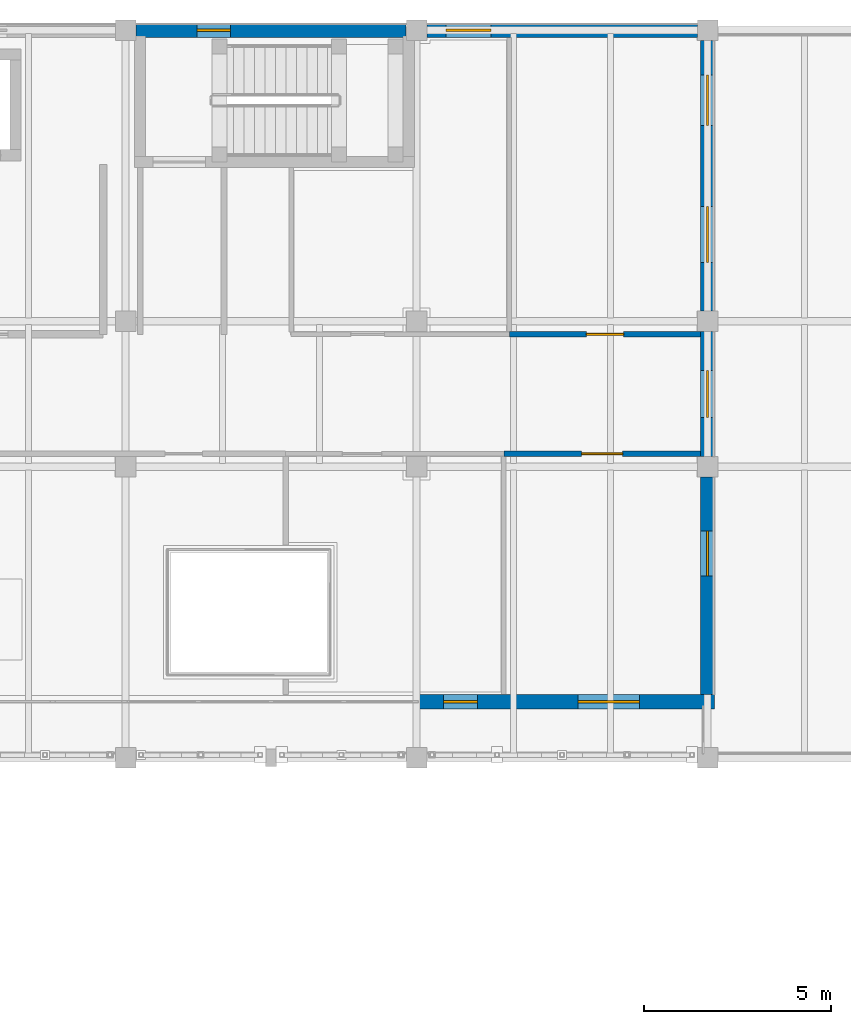
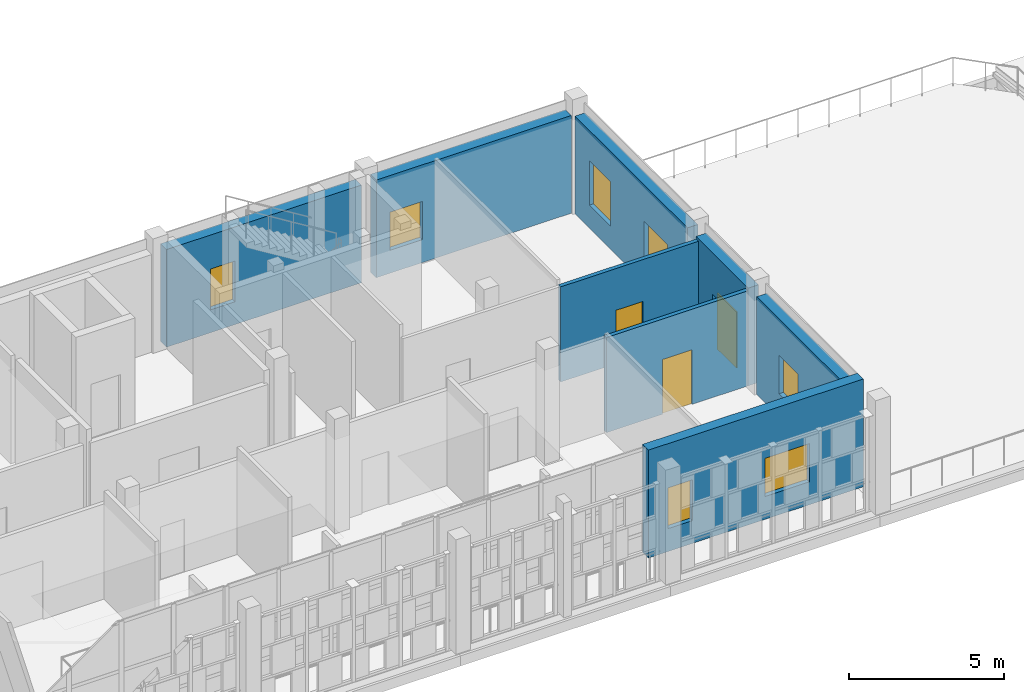
# One storey, part 100 of 119: 8 walls, 7 windows, 3 doors, 10 openings.
"""IFC4 building model written with IfcOpenShell, lengths in metres."""

from ifc_helpers import new_model, si_unit, direction, frame, frame_2d, origin, place, context, subcontext, project, spatial, rectangle, extrude, material, layer, layer_set, type_object, element, fill, save


model = new_model("IFC4")

# Units and contexts
model_context = context("Model", 3, precision=1e-05, world=origin(), true_north=direction((0.0, 1.0)))
body_context = subcontext(model_context, "Body", "Model", "MODEL_VIEW")
ifc_project = project(units=[si_unit("LENGTHUNIT", "METRE"), si_unit("AREAUNIT", "SQUARE_METRE"), si_unit("VOLUMEUNIT", "CUBIC_METRE"), si_unit("PLANEANGLEUNIT", "RADIAN"), si_unit("MASSUNIT", "GRAM", prefix="KILO")], contexts=[model_context])

# Site, building, storey
site_placement = place(None, origin())
site = spatial("IfcSite", under=ifc_project, at=site_placement, CompositionType="ELEMENT")
building_placement = place(site_placement, origin())
building = spatial("IfcBuilding", under=site, at=building_placement, Name="Celorna Specialist Clinic", CompositionType="ELEMENT")
storey_placement = place(building_placement, frame((0.0, 0.0, 9.60009765625)))
storey = spatial("IfcBuildingStorey", under=building, at=storey_placement, Name="L02", CompositionType="ELEMENT", Elevation=9.60009765625)

# Wall, openings, windows
ifc_material_1 = material(Name="Terracotta masonry with insulated cavity", Category="masonry")
ifc_layer_1 = layer(ifc_material_1, 0.3798828125, Name="Terracotta masonry with insulated cavity")
ifc_layer_set_1 = layer_set([ifc_layer_1], Name="Terracotta masonry with insulated cavity")
wall_type_1 = type_object("IfcWallType", Name="WT-06", PredefinedType="STANDARD", material=ifc_layer_set_1)
wall_1_placement = place(storey_placement, frame((132.7900390625, 98.0, 0.0), z_axis=(0.0, 0.0, 1.0), x_axis=(-1.0, 0.0, 0.0)))
wall_1 = element("IfcWall", 1, at=wall_1_placement, inside=storey, type_object=wall_type_1, Name="External facade wall WT-06 #232", PredefinedType="STANDARD", context=body_context, shape_type="SweptSolid", body=[
    extrude(rectangle(XDim=7.989990234375, YDim=0.3798828125, at=frame_2d((3.9951171875, 0.0))), origin(), (0.0, 0.0, 1.0), 4.239990234375),
])
opening_1_placement = place(wall_1_placement, frame((2.010009765625, 0.0, 0.89990234375)))
opening_1 = element("IfcOpeningElement", 2, at=opening_1_placement, cuts=wall_1, Name="Opening WN-24", PredefinedType="OPENING", context=body_context, shape_type="SweptSolid", body=[
    extrude(rectangle(XDim=1.64990234375, YDim=1.5, at=frame_2d((0.824951171875, 0.75))), frame((0.0, 0.199951171875, 0.0), z_axis=(0.0, -1.0, 0.0), x_axis=(1.0, 0.0, 0.0)), (0.0, 0.0, 1.0), 0.39990234375),
])
opening_2_placement = place(wall_1_placement, frame((6.360107421875, 0.0, 0.89990234375)))
opening_2 = element("IfcOpeningElement", 3, at=opening_2_placement, cuts=wall_1, Name="Opening WN-01", PredefinedType="OPENING", context=body_context, shape_type="SweptSolid", body=[
    extrude(rectangle(XDim=0.89990234375, YDim=1.60009765625, at=frame_2d((0.449951171875, 0.800048828125))), frame((0.0, 0.199951171875, 0.0), z_axis=(0.0, -1.0, 0.0), x_axis=(1.0, 0.0, 0.0)), (0.0, 0.0, 1.0), 0.39990234375),
])
ifc_material_2 = material(Name="Thermally broken aluminium triple-glazed window", Category="aluminium")
window_type_1 = type_object("IfcWindowType", Name="WN-01", PartitioningType="SINGLE_PANEL", PredefinedType="WINDOW", material=ifc_material_2)
window_1_placement = place(opening_2_placement, origin())
window_1 = element("IfcWindow", 4, at=window_1_placement, inside=storey, type_object=window_type_1, Name="Facade window WN-01 #113", OverallHeight=1.60009765625, OverallWidth=0.89990234375, PartitioningType="SINGLE_PANEL", PredefinedType="WINDOW", context=body_context, shape_type="SweptSolid", body=[
    extrude(rectangle(XDim=0.89990234375, YDim=1.60009765625, at=frame_2d((0.449951171875, 0.800048828125))), frame((0.0, 0.030029296875, 0.0), z_axis=(0.0, -1.0, 0.0), x_axis=(1.0, 0.0, 0.0)), (0.0, 0.0, 1.0), 0.06005859375),
])
fill(opening_2, window_1)
window_type_2 = type_object("IfcWindowType", Name="WN-24", PartitioningType="SINGLE_PANEL", PredefinedType="WINDOW", material=ifc_material_2)
window_2_placement = place(opening_1_placement, origin())
window_2 = element("IfcWindow", 5, at=window_2_placement, inside=storey, type_object=window_type_2, Name="Facade window WN-24 #112", OverallHeight=1.5, OverallWidth=1.64990234375, PartitioningType="SINGLE_PANEL", PredefinedType="WINDOW", context=body_context, shape_type="SweptSolid", body=[
    extrude(rectangle(XDim=1.64990234375, YDim=1.5, at=frame_2d((0.824951171875, 0.75))), frame((0.0, 0.030029296875, 0.0), z_axis=(0.0, -1.0, 0.0), x_axis=(1.0, 0.0, 0.0)), (0.0, 0.0, 1.0), 0.06005859375),
])
fill(opening_1, window_2)

# Wall, opening, window
wall_2_placement = place(storey_placement, frame((117.27490234375, 116.0, 0.0), z_axis=(0.0, 0.0, 1.0), x_axis=(1.0, 0.0, 0.0)))
wall_2 = element("IfcWall", 6, at=wall_2_placement, inside=storey, type_object=wall_type_1, Name="External facade wall WT-06 #246", PredefinedType="STANDARD", context=body_context, shape_type="SweptSolid", body=[
    extrude(rectangle(XDim=7.25, YDim=0.3798828125, at=frame_2d((3.625, 0.0))), origin(), (0.0, 0.0, 1.0), 3.83984375),
])
opening_3_placement = place(wall_2_placement, frame((1.642578125, 0.0, 0.89990234375)))
opening_3 = element("IfcOpeningElement", 7, at=opening_3_placement, cuts=wall_2, Name="Opening WN-01", PredefinedType="OPENING", context=body_context, shape_type="SweptSolid", body=[
    extrude(rectangle(XDim=0.89990234375, YDim=1.60009765625, at=frame_2d((0.449951171875, 0.800048828125))), frame((0.0, 0.199951171875, 0.0), z_axis=(0.0, -1.0, 0.0), x_axis=(1.0, 0.0, 0.0)), (0.0, 0.0, 1.0), 0.39990234375),
])
window_3_placement = place(opening_3_placement, origin())
window_3 = element("IfcWindow", 8, at=window_3_placement, inside=storey, type_object=window_type_1, Name="Facade window WN-01 #125", OverallHeight=1.60009765625, OverallWidth=0.89990234375, PartitioningType="SINGLE_PANEL", PredefinedType="WINDOW", context=body_context, shape_type="SweptSolid", body=[
    extrude(rectangle(XDim=0.89990234375, YDim=1.60009765625, at=frame_2d((0.449951171875, 0.800048828125))), frame((0.0, 0.030029296875, 0.0), z_axis=(0.0, -1.0, 0.0), x_axis=(1.0, 0.0, 0.0)), (0.0, 0.0, 1.0), 0.06005859375),
])
fill(opening_3, window_3)

wall_3_placement = place(storey_placement, frame((125.074951171875, 116.0, 0.0), z_axis=(0.0, 0.0, 1.0), x_axis=(1.0, 0.0, 0.0)))
wall_3 = element("IfcWall", 9, at=wall_3_placement, inside=storey, type_object=wall_type_1, Name="External facade wall WT-06 #247", PredefinedType="STANDARD", context=body_context, shape_type="SweptSolid", body=[
    extrude(rectangle(XDim=7.25, YDim=0.3798828125, at=frame_2d((3.625, 0.0))), origin(), (0.0, 0.0, 1.0), 3.83984375),
])
opening_4_placement = place(wall_3_placement, frame((0.517578125, 0.0, 0.89990234375)))
opening_4 = element("IfcOpeningElement", 10, at=opening_4_placement, cuts=wall_3, Name="Opening WN-04", PredefinedType="OPENING", context=body_context, shape_type="SweptSolid", body=[
    extrude(rectangle(XDim=1.199951171875, YDim=1.5, at=frame_2d((0.60009765625, 0.75))), frame((0.0, 0.199951171875, 0.0), z_axis=(0.0, -1.0, 0.0), x_axis=(1.0, 0.0, 0.0)), (0.0, 0.0, 1.0), 0.39990234375),
])
window_type_3 = type_object("IfcWindowType", Name="WN-04", PartitioningType="SINGLE_PANEL", PredefinedType="WINDOW", material=ifc_material_2)
window_4_placement = place(opening_4_placement, origin())
window_4 = element("IfcWindow", 11, at=window_4_placement, inside=storey, type_object=window_type_3, Name="Facade window WN-04 #126", OverallHeight=1.5, OverallWidth=1.199951171875, PartitioningType="SINGLE_PANEL", PredefinedType="WINDOW", context=body_context, shape_type="SweptSolid", body=[
    extrude(rectangle(XDim=1.199951171875, YDim=1.5, at=frame_2d((0.60009765625, 0.75))), frame((0.0, 0.030029296875, 0.0), z_axis=(0.0, -1.0, 0.0), x_axis=(1.0, 0.0, 0.0)), (0.0, 0.0, 1.0), 0.06005859375),
])
fill(opening_4, window_4)

wall_4_placement = place(storey_placement, frame((132.60009765625, 104.02490234375, 0.0), z_axis=(0.0, 0.0, 1.0), x_axis=(0.0, -1.0, 0.0)))
wall_4 = element("IfcWall", 12, at=wall_4_placement, inside=storey, type_object=wall_type_1, Name="External facade wall WT-06 #251", PredefinedType="STANDARD", context=body_context, shape_type="SweptSolid", body=[
    extrude(rectangle(XDim=5.8349609375, YDim=0.3798828125, at=frame_2d((2.91748046875, 0.0))), origin(), (0.0, 0.0, 1.0), 3.83984375),
])
opening_5_placement = place(wall_4_placement, frame((1.447509765625, 0.0, 0.89990234375)))
opening_5 = element("IfcOpeningElement", 13, at=opening_5_placement, cuts=wall_4, Name="Opening WN-04", PredefinedType="OPENING", context=body_context, shape_type="SweptSolid", body=[
    extrude(rectangle(XDim=1.199951171875, YDim=1.5, at=frame_2d((0.60009765625, 0.75))), frame((0.0, 0.199951171875, 0.0), z_axis=(0.0, -1.0, 0.0), x_axis=(1.0, 0.0, 0.0)), (0.0, 0.0, 1.0), 0.39990234375),
])
window_5_placement = place(opening_5_placement, origin())
window_5 = element("IfcWindow", 14, at=window_5_placement, inside=storey, type_object=window_type_3, Name="Facade window WN-04 #130", OverallHeight=1.5, OverallWidth=1.199951171875, PartitioningType="SINGLE_PANEL", PredefinedType="WINDOW", context=body_context, shape_type="SweptSolid", body=[
    extrude(rectangle(XDim=1.199951171875, YDim=1.5, at=frame_2d((0.60009765625, 0.75))), frame((0.0, 0.030029296875, 0.0), z_axis=(0.0, -1.0, 0.0), x_axis=(1.0, 0.0, 0.0)), (0.0, 0.0, 1.0), 0.06005859375),
])
fill(opening_5, window_5)

# Wall, opening, door
wall_5_placement = place(storey_placement, frame((132.60009765625, 107.925048828125, 0.0), z_axis=(0.0, 0.0, 1.0), x_axis=(0.0, -1.0, 0.0)))
wall_5 = element("IfcWall", 15, at=wall_5_placement, inside=storey, type_object=wall_type_1, Name="External facade wall WT-06 #252", PredefinedType="STANDARD", context=body_context, shape_type="SweptSolid", body=[
    extrude(rectangle(XDim=3.35009765625, YDim=0.3798828125, at=frame_2d((1.675048828125, 0.0))), origin(), (0.0, 0.0, 1.0), 3.83984375),
])
opening_6_placement = place(wall_5_placement, frame((1.050048828125, 0.0, 0.0)))
opening_6 = element("IfcOpeningElement", 16, at=opening_6_placement, cuts=wall_5, Name="Opening DR-13", PredefinedType="OPENING", context=body_context, shape_type="SweptSolid", body=[
    extrude(rectangle(XDim=1.25, YDim=2.199951171875, at=frame_2d((0.625, 1.10009765625))), frame((0.0, 0.199951171875, 0.0), z_axis=(0.0, -1.0, 0.0), x_axis=(1.0, 0.0, 0.0)), (0.0, 0.0, 1.0), 0.39990234375),
])
ifc_material_3 = material(Name="Thermally broken glazed terrace door")
door_type_1 = type_object("IfcDoorType", Name="DR-13", OperationType="NOTDEFINED", PredefinedType="DOOR", material=ifc_material_3)
door_1_placement = place(opening_6_placement, frame((1.25, 0.0, 0.0), z_axis=(0.0, 0.0, 1.0), x_axis=(-1.0, 0.0, 0.0)))
door_1 = element("IfcDoor", 17, at=door_1_placement, inside=storey, type_object=door_type_1, Name="Terrace access door TER-V4-L02", OperationType="SINGLE_SWING_RIGHT", OverallHeight=2.199951171875, OverallWidth=1.25, PredefinedType="DOOR", context=body_context, shape_type="SweptSolid", body=[
    extrude(rectangle(XDim=1.25, YDim=2.199951171875, at=frame_2d((0.625, 1.10009765625))), frame((0.0, 0.02490234375, 0.0), z_axis=(0.0, -1.0, 0.0), x_axis=(1.0, 0.0, 0.0)), (0.0, 0.0, 1.0), 0.050048828125),
])
fill(opening_6, door_1)

# Wall, openings, windows
wall_6_placement = place(storey_placement, frame((132.60009765625, 115.72509765625, 0.0), z_axis=(0.0, 0.0, 1.0), x_axis=(0.0, -1.0, 0.0)))
wall_6 = element("IfcWall", 18, at=wall_6_placement, inside=storey, type_object=wall_type_1, Name="External facade wall WT-06 #253", PredefinedType="STANDARD", context=body_context, shape_type="SweptSolid", body=[
    extrude(rectangle(XDim=7.25, YDim=0.3798828125, at=frame_2d((3.625, 0.0))), origin(), (0.0, 0.0, 1.0), 3.83984375),
])
opening_7_placement = place(wall_6_placement, frame((0.922607421875, 0.0, 0.89990234375)))
opening_7 = element("IfcOpeningElement", 19, at=opening_7_placement, cuts=wall_6, Name="Opening WN-07", PredefinedType="OPENING", context=body_context, shape_type="SweptSolid", body=[
    extrude(rectangle(XDim=1.35009765625, YDim=1.75, at=frame_2d((0.675048828125, 0.875))), frame((0.0, 0.199951171875, 0.0), z_axis=(0.0, -1.0, 0.0), x_axis=(1.0, 0.0, 0.0)), (0.0, 0.0, 1.0), 0.39990234375),
])
opening_8_placement = place(wall_6_placement, frame((4.452392578125, 0.0, 0.89990234375)))
opening_8 = element("IfcOpeningElement", 20, at=opening_8_placement, cuts=wall_6, Name="Opening WN-08", PredefinedType="OPENING", context=body_context, shape_type="SweptSolid", body=[
    extrude(rectangle(XDim=1.5, YDim=1.5, at=frame_2d((0.75, 0.75))), frame((0.0, 0.199951171875, 0.0), z_axis=(0.0, -1.0, 0.0), x_axis=(1.0, 0.0, 0.0)), (0.0, 0.0, 1.0), 0.39990234375),
])
window_type_4 = type_object("IfcWindowType", Name="WN-07", PartitioningType="SINGLE_PANEL", PredefinedType="WINDOW", material=ifc_material_2)
window_6_placement = place(opening_7_placement, origin())
window_6 = element("IfcWindow", 21, at=window_6_placement, inside=storey, type_object=window_type_4, Name="Facade window WN-07 #131", OverallHeight=1.75, OverallWidth=1.35009765625, PartitioningType="SINGLE_PANEL", PredefinedType="WINDOW", context=body_context, shape_type="SweptSolid", body=[
    extrude(rectangle(XDim=1.35009765625, YDim=1.75, at=frame_2d((0.675048828125, 0.875))), frame((0.0, 0.030029296875, 0.0), z_axis=(0.0, -1.0, 0.0), x_axis=(1.0, 0.0, 0.0)), (0.0, 0.0, 1.0), 0.06005859375),
])
fill(opening_7, window_6)
window_type_5 = type_object("IfcWindowType", Name="WN-08", PartitioningType="SINGLE_PANEL", PredefinedType="WINDOW", material=ifc_material_2)
window_7_placement = place(opening_8_placement, origin())
window_7 = element("IfcWindow", 22, at=window_7_placement, inside=storey, type_object=window_type_5, Name="Facade window WN-08 #132", OverallHeight=1.5, OverallWidth=1.5, PartitioningType="SINGLE_PANEL", PredefinedType="WINDOW", context=body_context, shape_type="SweptSolid", body=[
    extrude(rectangle(XDim=1.5, YDim=1.5, at=frame_2d((0.75, 0.75))), frame((0.0, 0.030029296875, 0.0), z_axis=(0.0, -1.0, 0.0), x_axis=(1.0, 0.0, 0.0)), (0.0, 0.0, 1.0), 0.06005859375),
])
fill(opening_8, window_7)

# Wall, opening, door
ifc_material_4 = material(Name="Fire-rated gypsum board partition")
ifc_layer_2 = layer(ifc_material_4, 0.14990234375, Name="Fire-rated gypsum board partition")
ifc_layer_set_2 = layer_set([ifc_layer_2], Name="Fire-rated gypsum board partition")
wall_type_2 = type_object("IfcWallType", Name="WT-14", PredefinedType="PARTITIONING", material=ifc_layer_set_2)
wall_7_placement = place(storey_placement, frame((132.409912109375, 104.64990234375, 0.0), z_axis=(0.0, 0.0, 1.0), x_axis=(-1.0, 0.0, 0.0)))
wall_7 = element("IfcWall", 23, at=wall_7_placement, inside=storey, type_object=wall_type_2, Name="Interior partition WT-14 L02-040", PredefinedType="PARTITIONING", context=body_context, shape_type="SweptSolid", body=[
    extrude(rectangle(XDim=5.27001953125, YDim=0.14990234375, at=frame_2d((2.635009765625, 0.0))), origin(), (0.0, 0.0, 1.0), 3.739990234375),
])
opening_9_placement = place(wall_7_placement, frame((2.0849609375, 0.0, 0.0)))
opening_9 = element("IfcOpeningElement", 24, at=opening_9_placement, cuts=wall_7, Name="Opening DR-06", PredefinedType="OPENING", context=body_context, shape_type="SweptSolid", body=[
    extrude(rectangle(XDim=1.10009765625, YDim=2.14990234375, at=frame_2d((0.550048828125, 1.074951171875))), frame((0.0, 0.0849609375, 0.0), z_axis=(0.0, -1.0, 0.0), x_axis=(1.0, 0.0, 0.0)), (0.0, 0.0, 1.0), 0.169921875),
])
ifc_material_5 = material(Name="Clinical treatment suite door")
door_type_2 = type_object("IfcDoorType", Name="DR-06", OperationType="NOTDEFINED", PredefinedType="DOOR", material=ifc_material_5)
door_2_placement = place(opening_9_placement, origin())
door_2 = element("IfcDoor", 25, at=door_2_placement, inside=storey, type_object=door_type_2, Name="Endocrinology Specialist Clinic door L02-040", OperationType="SINGLE_SWING_LEFT", OverallHeight=2.14990234375, OverallWidth=1.10009765625, PredefinedType="DOOR", context=body_context, shape_type="SweptSolid", body=[
    extrude(rectangle(XDim=1.10009765625, YDim=2.14990234375, at=frame_2d((0.550048828125, 1.074951171875))), frame((0.0, 0.02490234375, 0.0), z_axis=(0.0, -1.0, 0.0), x_axis=(1.0, 0.0, 0.0)), (0.0, 0.0, 1.0), 0.050048828125),
])
fill(opening_9, door_2)

wall_8_placement = place(storey_placement, frame((127.2900390625, 107.85009765625, 0.0), z_axis=(0.0, 0.0, 1.0), x_axis=(1.0, 0.0, 0.0)))
wall_8 = element("IfcWall", 26, at=wall_8_placement, inside=storey, type_object=wall_type_2, Name="Interior partition WT-14 L02-050", PredefinedType="PARTITIONING", context=body_context, shape_type="SweptSolid", body=[
    extrude(rectangle(XDim=5.119873046875, YDim=0.14990234375, at=frame_2d((2.56005859375, 0.0))), origin(), (0.0, 0.0, 1.0), 3.739990234375),
])
opening_10_placement = place(wall_8_placement, frame((2.06005859375, 0.0, 0.0)))
opening_10 = element("IfcOpeningElement", 27, at=opening_10_placement, cuts=wall_8, Name="Opening DR-04", PredefinedType="OPENING", context=body_context, shape_type="SweptSolid", body=[
    extrude(rectangle(XDim=1.0, YDim=2.10009765625, at=frame_2d((0.5, 1.050048828125))), frame((0.0, 0.0849609375, 0.0), z_axis=(0.0, -1.0, 0.0), x_axis=(1.0, 0.0, 0.0)), (0.0, 0.0, 1.0), 0.169921875),
])
ifc_material_6 = material(Name="Timber consultation suite door", Category="wood")
door_type_3 = type_object("IfcDoorType", Name="DR-04", OperationType="NOTDEFINED", PredefinedType="DOOR", material=ifc_material_6)
door_3_placement = place(opening_10_placement, origin())
door_3 = element("IfcDoor", 28, at=door_3_placement, inside=storey, type_object=door_type_3, Name="Endocrinology Specialist Clinic door L02-050", OperationType="SINGLE_SWING_LEFT", OverallHeight=2.10009765625, OverallWidth=1.0, PredefinedType="DOOR", context=body_context, shape_type="SweptSolid", body=[
    extrude(rectangle(XDim=1.0, YDim=2.10009765625, at=frame_2d((0.5, 1.050048828125))), frame((0.0, 0.02490234375, 0.0), z_axis=(0.0, -1.0, 0.0), x_axis=(1.0, 0.0, 0.0)), (0.0, 0.0, 1.0), 0.050048828125),
])
fill(opening_10, door_3)

save(model, "model.ifc")
